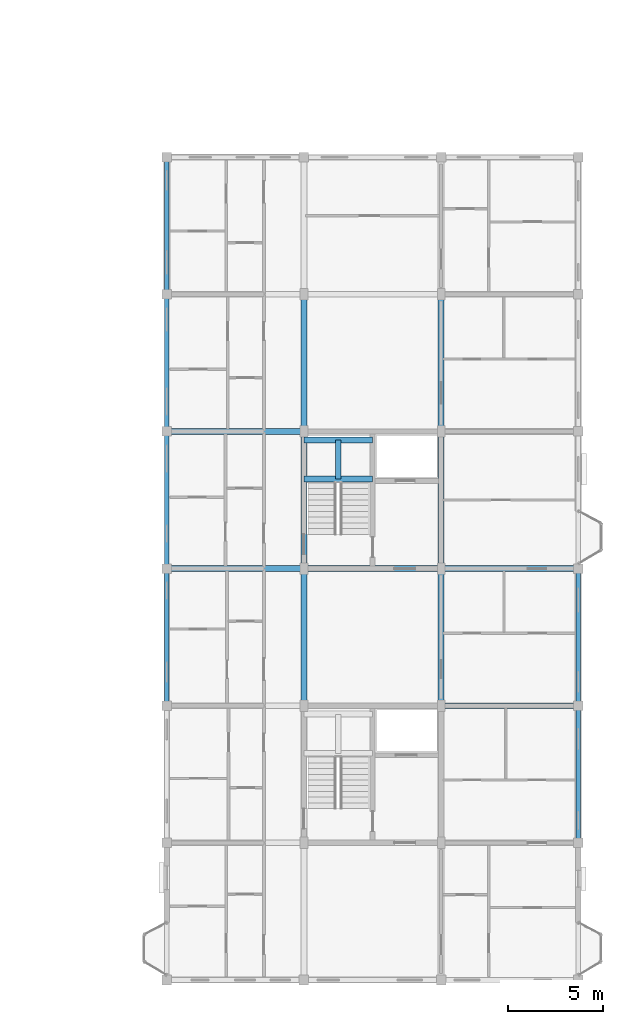
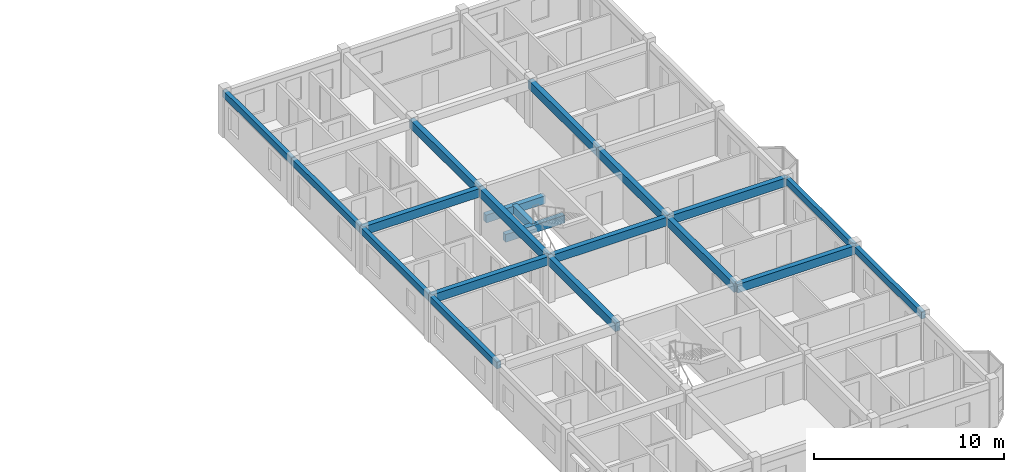
# One storey, part 24 of 65: 20 beams.
"""IFC4 building model written with IfcOpenShell, lengths in metres."""

import ifcopenshell
import ifcopenshell.guid

model = None  # the IFC model being written
_history = None  # IfcOwnerHistory: only IFC2X3 demands one
_inside = {}  # id of a spatial element -> (the spatial element, [elements in it])
_under = {}  # id of a project, library or spatial element -> (it, [spatial elements below it])
_declared = {}  # id of a project -> (the project, [libraries it declares])
_typed = {}  # id of a type object -> (the type object, [elements of that type])
_made_of = {}  # id of a material, layer set ... -> (it, [elements and type objects made of it])


def new_model(schema):
    """Start an empty IFC model of exactly this schema.

    Asked for "IFC4X3", IfcOpenShell would pick the latest addendum, in which some entities
    have other attributes; the version numbers below select the first issue.
    IFC2X3 requires an IfcOwnerHistory on every rooted entity: one is made here for all.
    """
    global model, _history
    if schema == "IFC4X3":
        model = ifcopenshell.file(schema_version=(4, 3, 0, 0))
    else:
        model = ifcopenshell.file(schema=schema)
    _inside.clear()
    _under.clear()
    _declared.clear()
    _typed.clear()
    _made_of.clear()
    _history = None
    if model.schema == "IFC2X3":
        org = make("IfcOrganization", Name="unknown")
        user = make(
            "IfcPersonAndOrganization",
            ThePerson=make("IfcPerson", FamilyName="unknown"),
            TheOrganization=org,
        )
        app = make(
            "IfcApplication",
            ApplicationDeveloper=org,
            Version="unknown",
            ApplicationFullName="unknown",
            ApplicationIdentifier="unknown",
        )
        _history = make(
            "IfcOwnerHistory",
            OwningUser=user,
            OwningApplication=app,
            ChangeAction="ADDED",
            CreationDate=0,
        )
    return model


def make(cls, **values):
    """One entity of the class cls with the attributes given. An attribute that is None is left unset."""
    return model.create_entity(
        cls, **{name: value for name, value in values.items() if value is not None}
    )


def rooted(cls, **values):
    """An entity with a GlobalId (a new one), such as an element, a storey or a relation."""
    return make(cls, GlobalId=ifcopenshell.guid.new(), OwnerHistory=_history, **values)


def si_unit(unit_type, name, prefix=None):
    """IfcSIUnit, for example si_unit("LENGTHUNIT", "METRE", prefix="MILLI")."""
    return make("IfcSIUnit", UnitType=unit_type, Prefix=prefix, Name=name)


def assignment(units):
    """IfcUnitAssignment: the units of a project."""
    return None if units is None else make("IfcUnitAssignment", Units=units)


def point(xyz):
    """IfcCartesianPoint."""
    return None if xyz is None else make("IfcCartesianPoint", Coordinates=xyz)


def direction(xyz):
    """IfcDirection."""
    return None if xyz is None else make("IfcDirection", DirectionRatios=xyz)


def frame(location, z_axis=None, x_axis=None):
    """IfcAxis2Placement3D, a coordinate frame: its origin and axes. An axis left out is left unset."""
    return make(
        "IfcAxis2Placement3D",
        Location=point(location),
        Axis=direction(z_axis),
        RefDirection=direction(x_axis),
    )


def frame_2d(location, x_axis=None):
    """IfcAxis2Placement2D, a coordinate frame in the plane: its origin and x axis."""
    return make(
        "IfcAxis2Placement2D", Location=point(location), RefDirection=direction(x_axis)
    )


def origin():
    """The frame at (0, 0, 0) with its axes left unset."""
    return frame((0.0, 0.0, 0.0))


def origin_2d():
    """The frame at (0, 0) in the plane with its x axis left unset."""
    return frame_2d((0.0, 0.0))


def place(relative_to, where):
    """IfcLocalPlacement: puts the frame where relative to a parent placement (None: the world)."""
    return make(
        "IfcLocalPlacement", PlacementRelTo=relative_to, RelativePlacement=where
    )


def context(
    kind, dimensions, precision=None, world=None, true_north=None, identifier=None
):
    """IfcGeometricRepresentationContext, for example the 3D "Model" context."""
    return make(
        "IfcGeometricRepresentationContext",
        ContextIdentifier=identifier,
        ContextType=kind,
        CoordinateSpaceDimension=dimensions,
        Precision=precision,
        WorldCoordinateSystem=world,
        TrueNorth=true_north,
    )


def subcontext(parent, identifier, kind, view, scale=None):
    """IfcGeometricRepresentationSubContext, for example "Body" below "Model"."""
    return make(
        "IfcGeometricRepresentationSubContext",
        ContextIdentifier=identifier,
        ContextType=kind,
        ParentContext=parent,
        TargetScale=scale,
        TargetView=view,
    )


def project(units=None, contexts=None):
    """IfcProject with its units and contexts."""
    return rooted(
        "IfcProject",
        Name="project",
        RepresentationContexts=contexts,
        UnitsInContext=assignment(units),
    )


def spatial(cls, under=None, at=None, **own):
    """A site, building, storey or space (cls), placed at a placement, below another one or the project."""
    s = rooted(cls, ObjectPlacement=at, **own)
    if under is not None:
        _under.setdefault(under.id(), (under, []))[1].append(s)
    return s


def profile(cls, at=None, kind="AREA", **sizes):
    """A parametric profile (cls). Its sizes go by their IFC names, for example OverallWidth=200.0."""
    return make(cls, ProfileType=kind, Position=at, **sizes)


def rectangle(**sizes):
    """IfcRectangleProfileDef."""
    return profile("IfcRectangleProfileDef", **sizes)


def extrude(swept, where, along, depth):
    """IfcExtrudedAreaSolid: the profile swept, set in the frame where, extruded along a direction by depth."""
    return make(
        "IfcExtrudedAreaSolid",
        SweptArea=swept,
        Position=where,
        ExtrudedDirection=direction(along),
        Depth=depth,
    )


def shape(context_of_items, identifier, shape_type, items):
    """IfcShapeRepresentation: the items that make up one representation, for example the "Body"."""
    return make(
        "IfcShapeRepresentation",
        ContextOfItems=context_of_items,
        RepresentationIdentifier=identifier,
        RepresentationType=shape_type,
        Items=items,
    )


def material(Name=None, Category=None):
    """IfcMaterial."""
    return make("IfcMaterial", Name=Name, Category=Category)


def material_profile(
    of_material, cross_section, Name=None, Category=None, Priority=None
):
    """IfcMaterialProfile: a cross section and its material."""
    return make(
        "IfcMaterialProfile",
        Name=Name,
        Material=of_material,
        Profile=cross_section,
        Priority=Priority,
        Category=Category,
    )


def profile_set(profiles, Name=None, composite=None):
    """IfcMaterialProfileSet."""
    return make(
        "IfcMaterialProfileSet",
        Name=Name,
        MaterialProfiles=profiles,
        CompositeProfile=composite,
    )


def made_of(thing, what):
    """Note that an element or type object is made of a material, layer set ...; save() writes the relation."""
    if what is not None:
        _made_of.setdefault(what.id(), (what, []))[1].append(thing)
    return thing


def type_object(cls, material=None, **own):
    """A type object (cls), such as IfcWallType, which elements share."""
    return made_of(rooted(cls, **own), material)


def element(
    cls,
    number,
    at=None,
    inside=None,
    cuts=None,
    type_object=None,
    material=None,
    context=None,
    identifier="Body",
    shape_type=None,
    held_by="IfcProductDefinitionShape",
    body=None,
    shapes=None,
    **own,
):
    """One element of the class cls, such as IfcWall. Its Tag is "e" and its number.

    at: its placement. inside: the storey or other place that contains it. cuts: it is an
    opening in that element (IfcRelVoidsElement). A single representation is given by context,
    identifier, shape_type and body (its items); several are given by shapes. held_by: the class
    of the entity that holds the representations. save() writes the other relations.
    """
    e = rooted(cls, Tag="e%d" % number, ObjectPlacement=at, **own)
    if body is not None:
        shapes = [shape(context, identifier, shape_type, body)]
    if shapes is not None:
        e.Representation = make(held_by, Representations=shapes)
    if inside is not None:
        _inside.setdefault(inside.id(), (inside, []))[1].append(e)
    if cuts is not None:
        rooted(
            "IfcRelVoidsElement", RelatingBuildingElement=cuts, RelatedOpeningElement=e
        )
    if type_object is not None:
        _typed.setdefault(type_object.id(), (type_object, []))[1].append(e)
    return made_of(e, material)


def aggregate(whole, parts):
    """IfcRelAggregates: a whole, such as a stair, and the parts it consists of."""
    return rooted("IfcRelAggregates", RelatingObject=whole, RelatedObjects=parts)


def save(model, path):
    """Write the relations noted so far, then the file.

    IfcRelAggregates (storeys below a building ...), IfcRelContainedInSpatialStructure (elements
    in a storey), IfcRelDefinesByType, IfcRelAssociatesMaterial and IfcRelDeclares: one each for
    every whole, place, type object, material and project.
    """
    for whole, parts in _under.values():
        aggregate(whole, parts)
    for where, things in _inside.values():
        rooted(
            "IfcRelContainedInSpatialStructure",
            RelatedElements=things,
            RelatingStructure=where,
        )
    for kind, things in _typed.values():
        rooted("IfcRelDefinesByType", RelatedObjects=things, RelatingType=kind)
    for what, things in _made_of.values():
        rooted("IfcRelAssociatesMaterial", RelatedObjects=things, RelatingMaterial=what)
    for by, libraries in _declared.values():
        rooted("IfcRelDeclares", RelatingContext=by, RelatedDefinitions=libraries)
    model.write(path)


model = new_model("IFC4")

# Units and contexts
model_context = context("Model", 3, precision=1e-05, world=origin(), true_north=direction((0.0, 1.0)))
body_context = subcontext(model_context, "Body", "Model", "MODEL_VIEW")
ifc_project = project(units=[si_unit("LENGTHUNIT", "METRE"), si_unit("AREAUNIT", "SQUARE_METRE"), si_unit("VOLUMEUNIT", "CUBIC_METRE"), si_unit("PLANEANGLEUNIT", "RADIAN"), si_unit("MASSUNIT", "GRAM", prefix="KILO"), si_unit("THERMODYNAMICTEMPERATUREUNIT", "KELVIN"), si_unit("POWERUNIT", "WATT")], contexts=[model_context])

# Site, building, storey
site_placement = place(None, origin())
site = spatial("IfcSite", under=ifc_project, at=site_placement, CompositionType="ELEMENT")
building_placement = place(site_placement, origin())
building = spatial("IfcBuilding", under=site, at=building_placement, Name="Tavuni Mirador Residences", CompositionType="ELEMENT")
storey_placement = place(building_placement, frame((0.0, 0.0, 29.699951171875)))
storey = spatial("IfcBuildingStorey", under=building, at=storey_placement, Name="L09", CompositionType="ELEMENT", Elevation=29.699951171875)

# Beams
ifc_material = material(Name="Precast concrete C40/50", Category="concrete")
ifc_material_profile_1 = material_profile(ifc_material, rectangle(XDim=0.300048828125, YDim=0.5, at=origin_2d()), Name="PC 300x500", Category="concrete")
ifc_profile_set_1 = profile_set([ifc_material_profile_1], Name="Precast concrete C40/50")
beam_type_1 = type_object("IfcBeamType", Name="BT-B500", PredefinedType="BEAM", material=ifc_profile_set_1)
for number, where, z_axis, x_axis, name in (
    (1, (104.39990234375, 112.699951171875, 1.14501953125), (1.0, 0.0, 0.0), (0.0, 1.0, 0.0), "HLB1-C8-L09"),
    (2, (104.39990234375, 114.75, 1.14501953125), (1.0, 0.0, 0.0), (0.0, 1.0, 0.0), "HLB2-C8-L09"),
):
    element("IfcBeam", number, at=place(storey_placement, frame(where, z_axis=z_axis, x_axis=x_axis)), inside=storey, type_object=beam_type_1, Name=name, PredefinedType="BEAM", context=body_context, shape_type="SweptSolid", body=[
        extrude(rectangle(XDim=0.300048828125, YDim=0.5, at=origin_2d()), origin(), (0.0, 0.0, 1.0), 3.60009765625),
    ])
beam_1_placement = place(storey_placement, frame((106.199951171875, 112.699951171875, 1.14501953125), z_axis=(0.0, 1.0, 0.0), x_axis=(-1.0, 0.0, 0.0)))
element("IfcBeam", 3, at=beam_1_placement, inside=storey, type_object=beam_type_1, Name="HLB3-C8-L09", PredefinedType="BEAM", context=body_context, shape_type="SweptSolid", body=[
    extrude(rectangle(XDim=0.300048828125, YDim=0.5, at=origin_2d()), origin(), (0.0, 0.0, 1.0), 2.050048828125),
])
ifc_material_profile_2 = material_profile(ifc_material, rectangle(XDim=0.300048828125, YDim=0.550048828125, at=origin_2d()), Name="PC 300x550", Category="concrete")
ifc_profile_set_2 = profile_set([ifc_material_profile_2], Name="Precast concrete C40/50")
beam_type_2 = type_object("IfcBeamType", Name="BT-B550", PredefinedType="BEAM", material=ifc_profile_set_2)
for number, where, z_axis, x_axis, name in (
    (4, (111.60009765625, 100.800048828125, 2.614990234375), (1.0, 0.0, 0.0), (0.0, 1.0, 0.0), "BMX-BLK-D-L09-02-02"),
    (5, (97.199951171875, 108.0, 2.614990234375), (1.0, 0.0, 0.0), (0.0, 1.0, 0.0), "BMX-BLK-D-L09-00-03"),
):
    element("IfcBeam", number, at=place(storey_placement, frame(where, z_axis=z_axis, x_axis=x_axis)), inside=storey, type_object=beam_type_2, Name=name, PredefinedType="BEAM", context=body_context, shape_type="SweptSolid", body=[
        extrude(rectangle(XDim=0.300048828125, YDim=0.550048828125, at=origin_2d()), origin(), (0.0, 0.0, 1.0), 7.199951171875),
    ])
beam_2_placement = place(storey_placement, frame((104.39990234375, 108.0, 2.614990234375), z_axis=(1.0, 0.0, 0.0), x_axis=(0.0, 1.0, 0.0)))
element("IfcBeam", 6, at=beam_2_placement, inside=storey, type_object=beam_type_2, Name="BMX-BLK-D-L09-01-03", PredefinedType="BEAM", context=body_context, shape_type="SweptSolid", body=[
    extrude(rectangle(XDim=0.300048828125, YDim=0.550048828125, at=origin_2d()), origin(), (0.0, 0.0, 1.0), 7.2001953125),
])
for number, where, z_axis, x_axis, name in (
    (7, (111.60009765625, 108.0, 2.614990234375), (1.0, 0.0, 0.0), (0.0, 1.0, 0.0), "BMX-BLK-D-L09-02-03"),
    (8, (97.199951171875, 115.199951171875, 2.614990234375), (1.0, 0.0, 0.0), (0.0, 1.0, 0.0), "BMX-BLK-D-L09-00-04"),
    (9, (104.39990234375, 100.800048828125, 2.614990234375), (0.0, 1.0, 0.0), (-1.0, 0.0, 0.0), "BMY-BLK-D-L09-01-02"),
    (10, (104.39990234375, 108.0, 2.614990234375), (0.0, 1.0, 0.0), (-1.0, 0.0, 0.0), "BMY-BLK-D-L09-01-03"),
    (11, (104.39990234375, 115.199951171875, 2.614990234375), (0.0, 1.0, 0.0), (-1.0, 0.0, 0.0), "BMY-BLK-D-L09-01-04"),
    (12, (111.60009765625, 100.800048828125, 2.614990234375), (0.0, 1.0, 0.0), (-1.0, 0.0, 0.0), "BMY-BLK-D-L09-02-02"),
    (13, (111.60009765625, 108.0, 2.614990234375), (0.0, 1.0, 0.0), (-1.0, 0.0, 0.0), "BMY-BLK-D-L09-02-03"),
    (14, (111.60009765625, 115.199951171875, 2.614990234375), (0.0, 1.0, 0.0), (-1.0, 0.0, 0.0), "BMY-BLK-D-L09-02-04"),
):
    element("IfcBeam", number, at=place(storey_placement, frame(where, z_axis=z_axis, x_axis=x_axis)), inside=storey, type_object=beam_type_2, Name=name, PredefinedType="BEAM", context=body_context, shape_type="SweptSolid", body=[
        extrude(rectangle(XDim=0.300048828125, YDim=0.550048828125, at=origin_2d()), origin(), (0.0, 0.0, 1.0), 7.199951171875),
    ])
ifc_material_profile_3 = material_profile(ifc_material, rectangle(XDim=0.25, YDim=0.419921875, at=origin_2d()), Name="PC 250x420", Category="concrete")
ifc_profile_set_3 = profile_set([ifc_material_profile_3], Name="Precast concrete C40/50")
beam_type_3 = type_object("IfcBeamType", Name="BT-SP420", PredefinedType="SPANDREL", material=ifc_profile_set_3)
for number, where, z_axis, x_axis, name in (
    (15, (97.199951171875, 100.800048828125, 2.679931640625), (0.0, 1.0, 0.0), (-1.0, 0.0, 0.0), "BMY-BLK-D-L09-00-02"),
    (16, (97.199951171875, 108.0, 2.679931640625), (0.0, 1.0, 0.0), (-1.0, 0.0, 0.0), "BMY-BLK-D-L09-00-03"),
    (17, (97.199951171875, 115.199951171875, 2.679931640625), (0.0, 1.0, 0.0), (-1.0, 0.0, 0.0), "BMY-BLK-D-L09-00-04"),
):
    element("IfcBeam", number, at=place(storey_placement, frame(where, z_axis=z_axis, x_axis=x_axis)), inside=storey, type_object=beam_type_3, Name=name, PredefinedType="SPANDREL", context=body_context, shape_type="SweptSolid", body=[
        extrude(rectangle(XDim=0.25, YDim=0.419921875, at=origin_2d()), origin(), (0.0, 0.0, 1.0), 7.199951171875),
    ])
beam_3_placement = place(storey_placement, frame((97.199951171875, 122.39990234375, 2.679931640625), z_axis=(0.0, 1.0, 0.0), x_axis=(-1.0, 0.0, 0.0)))
element("IfcBeam", 18, at=beam_3_placement, inside=storey, type_object=beam_type_3, Name="BMY-BLK-D-L09-00-05", PredefinedType="SPANDREL", context=body_context, shape_type="SweptSolid", body=[
    extrude(rectangle(XDim=0.25, YDim=0.419921875, at=origin_2d()), origin(), (0.0, 0.0, 1.0), 7.2001953125),
])
for number, where, z_axis, x_axis, name in (
    (19, (118.800048828125, 93.60009765625, 2.679931640625), (0.0, 1.0, 0.0), (-1.0, 0.0, 0.0), "BMY-BLK-D-L09-03-01"),
    (20, (118.800048828125, 100.800048828125, 2.679931640625), (0.0, 1.0, 0.0), (-1.0, 0.0, 0.0), "BMY-BLK-D-L09-03-02"),
):
    element("IfcBeam", number, at=place(storey_placement, frame(where, z_axis=z_axis, x_axis=x_axis)), inside=storey, type_object=beam_type_3, Name=name, PredefinedType="SPANDREL", context=body_context, shape_type="SweptSolid", body=[
        extrude(rectangle(XDim=0.25, YDim=0.419921875, at=origin_2d()), origin(), (0.0, 0.0, 1.0), 7.199951171875),
    ])

save(model, "model.ifc")
